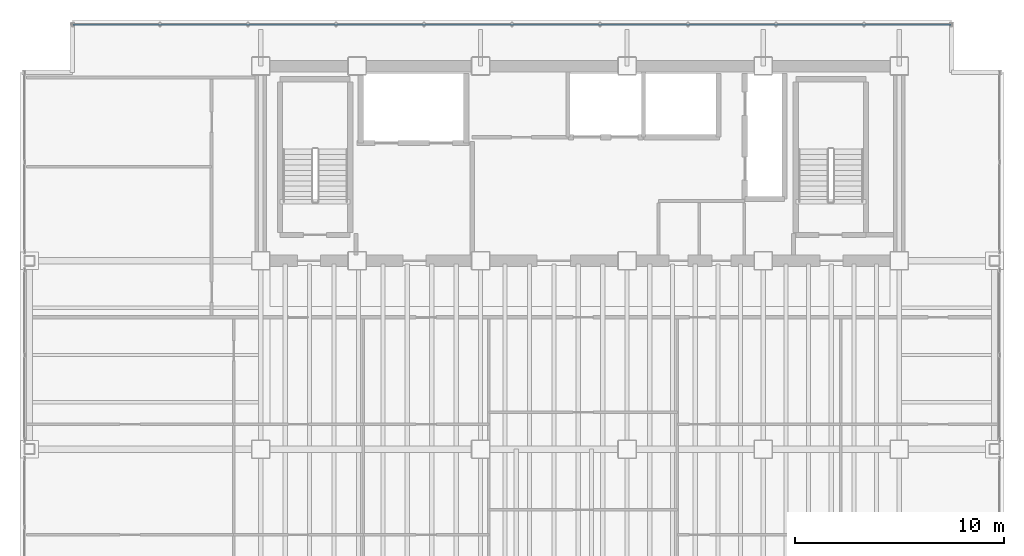
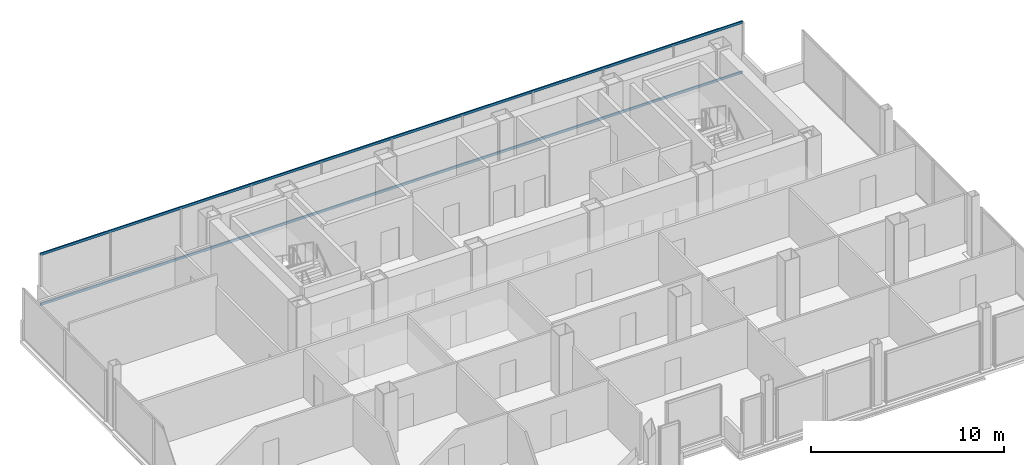
# One storey, part 11 of 22: 2 members, 1 element without a shape of its own.
"""IFC4 building model written with IfcOpenShell, lengths in metres."""

from ifc_helpers import new_model, si_unit, direction, frame, origin, origin_2d, place, context, subcontext, project, spatial, hollow_rectangle, extrude, material, material_profile, profile_set, type_object, element, aggregate, save


model = new_model("IFC4")

# Units and contexts
model_context = context("Model", 3, precision=1e-05, world=origin(), true_north=direction((0.0, 1.0)))
body_context = subcontext(model_context, "Body", "Model", "MODEL_VIEW")
ifc_project = project(units=[si_unit("LENGTHUNIT", "METRE"), si_unit("AREAUNIT", "SQUARE_METRE"), si_unit("VOLUMEUNIT", "CUBIC_METRE"), si_unit("PLANEANGLEUNIT", "RADIAN"), si_unit("MASSUNIT", "GRAM", prefix="KILO")], contexts=[model_context])

# Site, building, storey
site_placement = place(None, origin())
site = spatial("IfcSite", under=ifc_project, at=site_placement, CompositionType="ELEMENT")
building_placement = place(site_placement, origin())
building = spatial("IfcBuilding", under=site, at=building_placement, Name="Noeulbin Bourse Tower", CompositionType="ELEMENT")
storey_placement = place(building_placement, frame((0.0, 0.0, 134.39990234375)))
storey = spatial("IfcBuildingStorey", under=building, at=storey_placement, Name="L33", CompositionType="ELEMENT", Elevation=134.39990234375)

# Curtain wall, members
ifc_material_1 = material(Name="Dark Tinted Triple Glazing", Category="glass")
curtain_wall_type = type_object("IfcCurtainWallType", Name="CW-SYS-3", PredefinedType="NOTDEFINED", material=ifc_material_1)
curtain_wall_placement = place(storey_placement, origin())
curtain_wall = element("IfcCurtainWall", 1, at=curtain_wall_placement, inside=storey, type_object=curtain_wall_type, Name="Unitised Curtain Wall CW-L33-N", PredefinedType="NOTDEFINED")
ifc_material_2 = material(Name="Anodised Aluminium 6063-T6", Category="aluminium")
ifc_material_profile = material_profile(ifc_material_2, hollow_rectangle(XDim=0.074951171875, YDim=0.159912109375, WallThickness=0.0048828125, InnerFilletRadius=0.00244140625, OuterFilletRadius=0.0048828125, at=origin_2d()), Name="ALU-TRAN-75x160x5", Category="LoadBearing")
ifc_profile_set = profile_set([ifc_material_profile], Name="Anodised Aluminium 6063-T6")
member_type = type_object("IfcMemberType", Name="CW-SYS-3-TRN", PredefinedType="USERDEFINED", material=ifc_profile_set)
member_1_placement = place(storey_placement, frame((4.530029296875, 40.280029296875, 0.010009765625), z_axis=(1.0, 0.0, 0.0), x_axis=(0.0, 1.0, 0.0)))
member_1 = element("IfcMember", 2, at=member_1_placement, type_object=member_type, Name="Curtain Wall Transom CW-L33-N-T00", ObjectType="TRANSOM", PredefinedType="USERDEFINED", context=body_context, shape_type="SweptSolid", body=[
    extrude(hollow_rectangle(XDim=0.074951171875, YDim=0.159912109375, WallThickness=0.0048828125, InnerFilletRadius=0.00244140625, OuterFilletRadius=0.0048828125, at=origin_2d()), origin(), (0.0, 0.0, 1.0), 41.93994140625),
])
member_2_placement = place(storey_placement, frame((4.530029296875, 40.280029296875, 3.170166015625), z_axis=(1.0, 0.0, 0.0), x_axis=(0.0, 1.0, 0.0)))
member_2 = element("IfcMember", 3, at=member_2_placement, type_object=member_type, Name="Curtain Wall Transom CW-L33-N-T01", ObjectType="TRANSOM", PredefinedType="USERDEFINED", context=body_context, shape_type="SweptSolid", body=[
    extrude(hollow_rectangle(XDim=0.074951171875, YDim=0.159912109375, WallThickness=0.0048828125, InnerFilletRadius=0.00244140625, OuterFilletRadius=0.0048828125, at=origin_2d()), origin(), (0.0, 0.0, 1.0), 41.93994140625),
])
aggregate(curtain_wall, [member_1, member_2])

save(model, "model.ifc")
